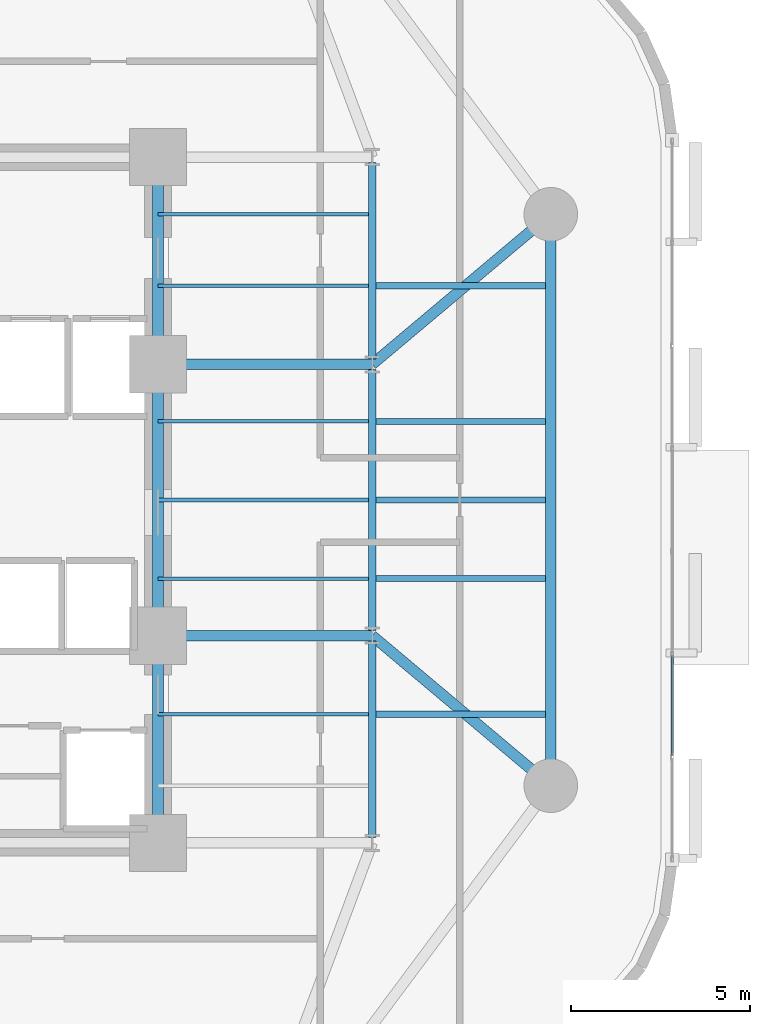
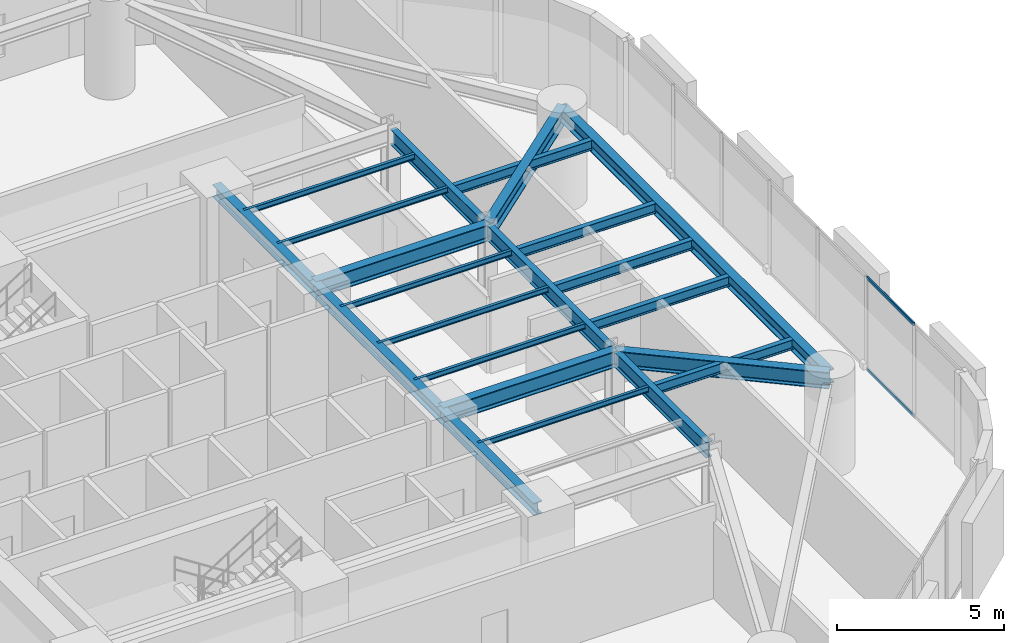
# One storey, part 5 of 15: 22 beams, 2 members, 1 element without a shape of its own.
"""IFC4 building model written with IfcOpenShell, lengths in metres."""

from ifc_helpers import new_model, si_unit, direction, frame, origin, origin_2d, place, context, subcontext, project, spatial, hollow_rectangle, i_section, extrude, material, layer, layer_set, material_profile, profile_set, type_object, element, aggregate, save


model = new_model("IFC4")

# Units and contexts
model_context = context("Model", 3, precision=1e-05, world=origin(), true_north=direction((0.0, 1.0)))
body_context = subcontext(model_context, "Body", "Model", "MODEL_VIEW")
ifc_project = project(units=[si_unit("LENGTHUNIT", "METRE"), si_unit("AREAUNIT", "SQUARE_METRE"), si_unit("VOLUMEUNIT", "CUBIC_METRE"), si_unit("PLANEANGLEUNIT", "RADIAN"), si_unit("MASSUNIT", "GRAM", prefix="KILO")], contexts=[model_context])

# Site, building, storey
site_placement = place(None, origin())
site = spatial("IfcSite", under=ifc_project, at=site_placement, CompositionType="ELEMENT")
building_placement = place(site_placement, origin())
building = spatial("IfcBuilding", under=site, at=building_placement, Name="An Khanh Terracotta Commons", CompositionType="ELEMENT")
storey_placement = place(building_placement, frame((0.0, 0.0, 61.199951171875)))
storey = spatial("IfcBuildingStorey", under=building, at=storey_placement, Name="L16", CompositionType="ELEMENT", Elevation=61.199951171875)

# Beams
ifc_material_1 = material(Name="Steel S355J2", Category="steel")
ifc_material_profile_1 = material_profile(ifc_material_1, i_section(OverallWidth=0.300048828125, OverallDepth=0.449951171875, WebThickness=0.013916015625, FlangeThickness=0.02587890625, FilletRadius=0.027099609375, at=origin_2d()), Name="HEB450")
ifc_profile_set_1 = profile_set([ifc_material_profile_1], Name="Steel S355J2")
beam_type_1 = type_object("IfcBeamType", Name="BM-HEB450", PredefinedType="BEAM", material=ifc_profile_set_1)
beam_1_placement = place(storey_placement, frame((37.199951171875, 14.39990234375, 3.175048828125), z_axis=(0.0, 1.0, 0.0), x_axis=(-1.0, 0.0, 0.0)))
element("IfcBeam", 1, at=beam_1_placement, inside=storey, type_object=beam_type_1, Name="L16 Core East Coupling Girder 1", PredefinedType="BEAM", context=body_context, shape_type="SweptSolid", body=[
    extrude(i_section(OverallWidth=0.300048828125, OverallDepth=0.449951171875, WebThickness=0.013916015625, FlangeThickness=0.02587890625, FilletRadius=0.027099609375, at=origin_2d()), origin(), (0.0, 0.0, 1.0), 5.800048828125),
])
beam_2_placement = place(storey_placement, frame((37.199951171875, 20.199951171875, 3.175048828125), z_axis=(0.0, 1.0, 0.0), x_axis=(-1.0, 0.0, 0.0)))
element("IfcBeam", 2, at=beam_2_placement, inside=storey, type_object=beam_type_1, Name="L16 Core East Coupling Girder 2", PredefinedType="BEAM", context=body_context, shape_type="SweptSolid", body=[
    extrude(i_section(OverallWidth=0.300048828125, OverallDepth=0.449951171875, WebThickness=0.013916015625, FlangeThickness=0.02587890625, FilletRadius=0.027099609375, at=origin_2d()), origin(), (0.0, 0.0, 1.0), 7.60009765625),
])
beam_3_placement = place(storey_placement, frame((37.199951171875, 27.800048828125, 3.175048828125), z_axis=(0.0, 1.0, 0.0), x_axis=(-1.0, 0.0, 0.0)))
element("IfcBeam", 3, at=beam_3_placement, inside=storey, type_object=beam_type_1, Name="L16 Core East Coupling Girder 3", PredefinedType="BEAM", context=body_context, shape_type="SweptSolid", body=[
    extrude(i_section(OverallWidth=0.300048828125, OverallDepth=0.449951171875, WebThickness=0.013916015625, FlangeThickness=0.02587890625, FilletRadius=0.027099609375, at=origin_2d()), origin(), (0.0, 0.0, 1.0), 5.800048828125),
])
ifc_material_profile_2 = material_profile(ifc_material_1, i_section(OverallWidth=0.300048828125, OverallDepth=0.5, WebThickness=0.014404296875, FlangeThickness=0.028076171875, FilletRadius=0.027099609375, at=origin_2d()), Name="HEB500")
ifc_profile_set_2 = profile_set([ifc_material_profile_2], Name="Steel S355J2")
beam_type_2 = type_object("IfcBeamType", Name="BM-HEB500", PredefinedType="BEAM", material=ifc_profile_set_2)
beam_4_placement = place(storey_placement, frame((48.199951171875, 16.0, 3.150146484375), z_axis=(0.0, 1.0, 0.0), x_axis=(-1.0, 0.0, 0.0)))
element("IfcBeam", 4, at=beam_4_placement, inside=storey, type_object=beam_type_2, Name="L16 Perimeter Ring Spandrel 3", PredefinedType="BEAM", context=body_context, shape_type="SweptSolid", body=[
    extrude(i_section(OverallWidth=0.300048828125, OverallDepth=0.5, WebThickness=0.014404296875, FlangeThickness=0.028076171875, FilletRadius=0.027099609375, at=origin_2d()), origin(), (0.0, 0.0, 1.0), 16.0),
])
ifc_material_profile_3 = material_profile(ifc_material_1, i_section(OverallWidth=0.300048828125, OverallDepth=0.60009765625, WebThickness=0.015380859375, FlangeThickness=0.030029296875, FilletRadius=0.027099609375, at=origin_2d()), Name="HEB600")
ifc_profile_set_3 = profile_set([ifc_material_profile_3], Name="Steel S355J2")
beam_type_3 = type_object("IfcBeamType", Name="BM-HEB600", PredefinedType="BEAM", material=ifc_profile_set_3)
for number, where, z_axis, x_axis, name in (
    (5, (37.199951171875, 20.199951171875, 3.10009765625), (1.0, 0.0, 0.0), (0.0, 1.0, 0.0), "L16 East Primary Floor Girder 2"),
    (6, (37.199951171875, 27.800048828125, 3.10009765625), (1.0, 0.0, 0.0), (0.0, 1.0, 0.0), "L16 East Primary Floor Girder 3"),
):
    element("IfcBeam", number, at=place(storey_placement, frame(where, z_axis=z_axis, x_axis=x_axis)), inside=storey, type_object=beam_type_3, Name=name, PredefinedType="BEAM", context=body_context, shape_type="SweptSolid", body=[
        extrude(i_section(OverallWidth=0.300048828125, OverallDepth=0.60009765625, WebThickness=0.015380859375, FlangeThickness=0.030029296875, FilletRadius=0.027099609375, at=origin_2d()), origin(), (0.0, 0.0, 1.0), 6.0),
    ])
for number, where, z_axis, x_axis, name in (
    (7, (48.199951171875, 16.0, 3.10009765625), (-0.765708547471, 0.643187702253, 0.0), (-0.643187702253, -0.765708547471, 0.0), "L16 Mega-Column Tie Girder 3"),
    (8, (48.199951171875, 32.0, 3.10009765625), (-0.765708547471, -0.643187702253, 0.0), (0.643187702253, -0.765708547471, 0.0), "L16 Mega-Column Tie Girder 4"),
):
    element("IfcBeam", number, at=place(storey_placement, frame(where, z_axis=z_axis, x_axis=x_axis)), inside=storey, type_object=beam_type_3, Name=name, PredefinedType="BEAM", context=body_context, shape_type="SweptSolid", body=[
        extrude(i_section(OverallWidth=0.300048828125, OverallDepth=0.60009765625, WebThickness=0.015380859375, FlangeThickness=0.030029296875, FilletRadius=0.027099609375, at=origin_2d()), origin(), (0.0, 0.0, 1.0), 6.52978515625),
    ])
ifc_material_profile_4 = material_profile(ifc_material_1, i_section(OverallWidth=0.10009765625, OverallDepth=0.199951171875, WebThickness=0.005615234375, FlangeThickness=0.008544921875, FilletRadius=0.011962890625, at=origin_2d()), Name="IPE200")
ifc_profile_set_4 = profile_set([ifc_material_profile_4], Name="Steel S355J2")
beam_type_4 = type_object("IfcBeamType", Name="BM-IPE200", PredefinedType="JOIST", material=ifc_profile_set_4)
for number, where, z_axis, x_axis, name in (
    (9, (37.199951171875, 18.0, 3.300048828125), (1.0, 0.0, 0.0), (0.0, 1.0, 0.0), "L16 Inboard Composite Joist 2"),
    (10, (37.199951171875, 21.800048828125, 3.300048828125), (1.0, 0.0, 0.0), (0.0, 1.0, 0.0), "L16 Inboard Composite Joist 3"),
    (11, (37.199951171875, 24.0, 3.300048828125), (1.0, 0.0, 0.0), (0.0, 1.0, 0.0), "L16 Inboard Composite Joist 4"),
    (12, (37.199951171875, 26.199951171875, 3.300048828125), (1.0, 0.0, 0.0), (0.0, 1.0, 0.0), "L16 Inboard Composite Joist 5"),
    (13, (37.199951171875, 30.0, 3.300048828125), (1.0, 0.0, 0.0), (0.0, 1.0, 0.0), "L16 Inboard Composite Joist 6"),
    (14, (37.199951171875, 32.0, 3.300048828125), (1.0, 0.0, 0.0), (0.0, 1.0, 0.0), "L16 Inboard Composite Joist 7"),
):
    element("IfcBeam", number, at=place(storey_placement, frame(where, z_axis=z_axis, x_axis=x_axis)), inside=storey, type_object=beam_type_4, Name=name, PredefinedType="JOIST", context=body_context, shape_type="SweptSolid", body=[
        extrude(i_section(OverallWidth=0.10009765625, OverallDepth=0.199951171875, WebThickness=0.005615234375, FlangeThickness=0.008544921875, FilletRadius=0.011962890625, at=origin_2d()), origin(), (0.0, 0.0, 1.0), 5.89501953125),
    ])
ifc_material_profile_5 = material_profile(ifc_material_1, i_section(OverallWidth=0.169921875, OverallDepth=0.360107421875, WebThickness=0.008056640625, FlangeThickness=0.0126953125, FilletRadius=0.01806640625, at=origin_2d()), Name="IPE360")
ifc_profile_set_5 = profile_set([ifc_material_profile_5], Name="Steel S355J2")
beam_type_5 = type_object("IfcBeamType", Name="BM-IPE360", PredefinedType="JOIST", material=ifc_profile_set_5)
for number, where, z_axis, x_axis, name in (
    (15, (43.304931640625, 18.0, 3.219970703125), (1.0, 0.0, 0.0), (0.0, 1.0, 0.0), "L16 Riverfront Composite Joist 2"),
    (16, (43.304931640625, 21.800048828125, 3.219970703125), (1.0, 0.0, 0.0), (0.0, 1.0, 0.0), "L16 Riverfront Composite Joist 3"),
    (17, (43.304931640625, 24.0, 3.219970703125), (1.0, 0.0, 0.0), (0.0, 1.0, 0.0), "L16 Riverfront Composite Joist 4"),
    (18, (43.304931640625, 26.199951171875, 3.219970703125), (1.0, 0.0, 0.0), (0.0, 1.0, 0.0), "L16 Riverfront Composite Joist 5"),
    (19, (43.304931640625, 30.0, 3.219970703125), (1.0, 0.0, 0.0), (0.0, 1.0, 0.0), "L16 Riverfront Composite Joist 6"),
):
    element("IfcBeam", number, at=place(storey_placement, frame(where, z_axis=z_axis, x_axis=x_axis)), inside=storey, type_object=beam_type_5, Name=name, PredefinedType="JOIST", context=body_context, shape_type="SweptSolid", body=[
        extrude(i_section(OverallWidth=0.169921875, OverallDepth=0.360107421875, WebThickness=0.008056640625, FlangeThickness=0.0126953125, FilletRadius=0.01806640625, at=origin_2d()), origin(), (0.0, 0.0, 1.0), 4.7451171875),
    ])
ifc_material_profile_6 = material_profile(ifc_material_1, i_section(OverallWidth=0.2099609375, OverallDepth=0.550048828125, WebThickness=0.010986328125, FlangeThickness=0.01708984375, FilletRadius=0.02392578125, at=origin_2d()), Name="IPE550")
ifc_profile_set_6 = profile_set([ifc_material_profile_6], Name="Steel S355J2")
beam_type_6 = type_object("IfcBeamType", Name="BM-IPE550", PredefinedType="BEAM", material=ifc_profile_set_6)
beam_5_placement = place(storey_placement, frame((43.199951171875, 14.550048828125, 3.125), z_axis=(0.0, 1.0, 0.0), x_axis=(-1.0, 0.0, 0.0)))
element("IfcBeam", 20, at=beam_5_placement, inside=storey, type_object=beam_type_6, Name="L16 East Spine Girder 1", PredefinedType="BEAM", context=body_context, shape_type="SweptSolid", body=[
    extrude(i_section(OverallWidth=0.2099609375, OverallDepth=0.550048828125, WebThickness=0.010986328125, FlangeThickness=0.01708984375, FilletRadius=0.02392578125, at=origin_2d()), origin(), (0.0, 0.0, 1.0), 5.5),
])
beam_6_placement = place(storey_placement, frame((43.199951171875, 20.35009765625, 3.125), z_axis=(0.0, 1.0, 0.0), x_axis=(-1.0, 0.0, 0.0)))
element("IfcBeam", 21, at=beam_6_placement, inside=storey, type_object=beam_type_6, Name="L16 East Spine Girder 2", PredefinedType="BEAM", context=body_context, shape_type="SweptSolid", body=[
    extrude(i_section(OverallWidth=0.2099609375, OverallDepth=0.550048828125, WebThickness=0.010986328125, FlangeThickness=0.01708984375, FilletRadius=0.02392578125, at=origin_2d()), origin(), (0.0, 0.0, 1.0), 7.2998046875),
])
beam_7_placement = place(storey_placement, frame((43.199951171875, 27.949951171875, 3.125), z_axis=(0.0, 1.0, 0.0), x_axis=(-1.0, 0.0, 0.0)))
element("IfcBeam", 22, at=beam_7_placement, inside=storey, type_object=beam_type_6, Name="L16 East Spine Girder 3", PredefinedType="BEAM", context=body_context, shape_type="SweptSolid", body=[
    extrude(i_section(OverallWidth=0.2099609375, OverallDepth=0.550048828125, WebThickness=0.010986328125, FlangeThickness=0.01708984375, FilletRadius=0.02392578125, at=origin_2d()), origin(), (0.0, 0.0, 1.0), 5.5),
])

# Curtain wall, members
ifc_material_2 = material(Name="Anodised Aluminium 6063-T6", Category="aluminium")
ifc_layer = layer(ifc_material_2, 0.199951171875, Name="Anodised Aluminium 6063-T6")
ifc_layer_set = layer_set([ifc_layer], Name="Anodised Aluminium 6063-T6")
curtain_wall_type = type_object("IfcCurtainWallType", Name="CW-SYS-02", PredefinedType="USERDEFINED", material=ifc_layer_set)
curtain_wall_placement = place(storey_placement, origin())
curtain_wall = element("IfcCurtainWall", 23, at=curtain_wall_placement, inside=storey, type_object=curtain_wall_type, Name="L16 CW-02 Unitised Curtain Wall CW-L16-12", ObjectType="UNITISED CURTAIN WALL", PredefinedType="USERDEFINED")
ifc_material_profile_7 = material_profile(ifc_material_2, hollow_rectangle(XDim=0.06005859375, YDim=0.1201171875, WallThickness=0.003662109375, InnerFilletRadius=0.003662109375, OuterFilletRadius=0.007080078125, at=origin_2d()), Name="RHS120x60x3.6")
ifc_profile_set_7 = profile_set([ifc_material_profile_7], Name="Anodised Aluminium 6063-T6")
member_type = type_object("IfcMemberType", Name="CWT-RHS120x60x3.6", PredefinedType="USERDEFINED", material=ifc_profile_set_7)
member_1_placement = place(storey_placement, frame((51.60009765625, 16.837158203125, 0.030029296875), z_axis=(0.0, 1.0, 0.0), x_axis=(-1.0, 0.0, 0.0)))
member_1 = element("IfcMember", 24, at=member_1_placement, type_object=member_type, Name="CW-02 transom 2.1", ObjectType="TRANSOM", PredefinedType="USERDEFINED", context=body_context, shape_type="SweptSolid", body=[
    extrude(hollow_rectangle(XDim=0.06005859375, YDim=0.1201171875, WallThickness=0.003662109375, InnerFilletRadius=0.003662109375, OuterFilletRadius=0.007080078125, at=origin_2d()), origin(), (0.0, 0.0, 1.0), 2.80908203125),
])
member_2_placement = place(storey_placement, frame((51.60009765625, 16.837158203125, 3.3701171875), z_axis=(0.0, 1.0, 0.0), x_axis=(-1.0, 0.0, 0.0)))
member_2 = element("IfcMember", 25, at=member_2_placement, type_object=member_type, Name="CW-02 transom 2.2", ObjectType="TRANSOM", PredefinedType="USERDEFINED", context=body_context, shape_type="SweptSolid", body=[
    extrude(hollow_rectangle(XDim=0.06005859375, YDim=0.1201171875, WallThickness=0.003662109375, InnerFilletRadius=0.003662109375, OuterFilletRadius=0.007080078125, at=origin_2d()), origin(), (0.0, 0.0, 1.0), 2.80908203125),
])
aggregate(curtain_wall, [member_1, member_2])

save(model, "model.ifc")
